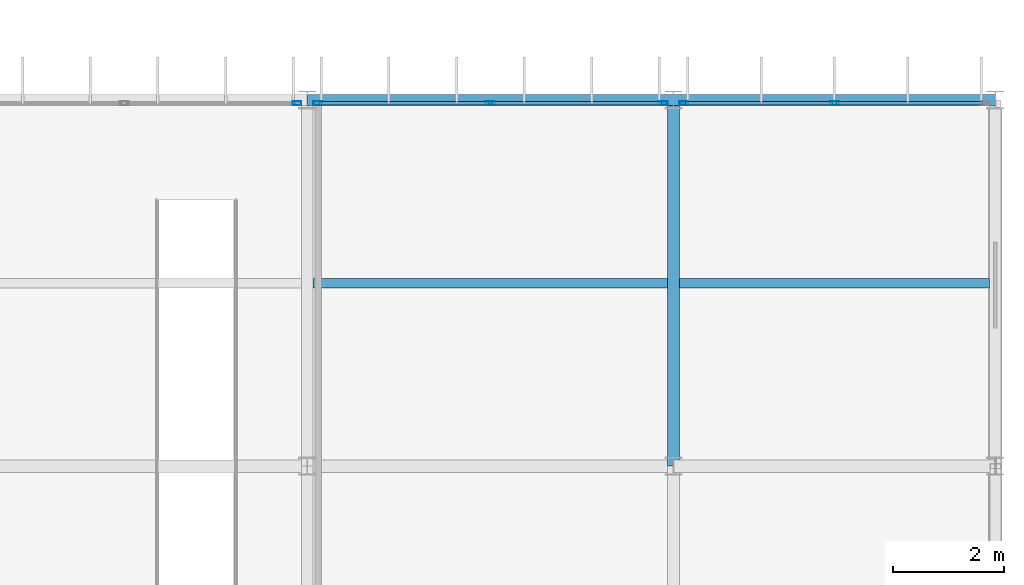
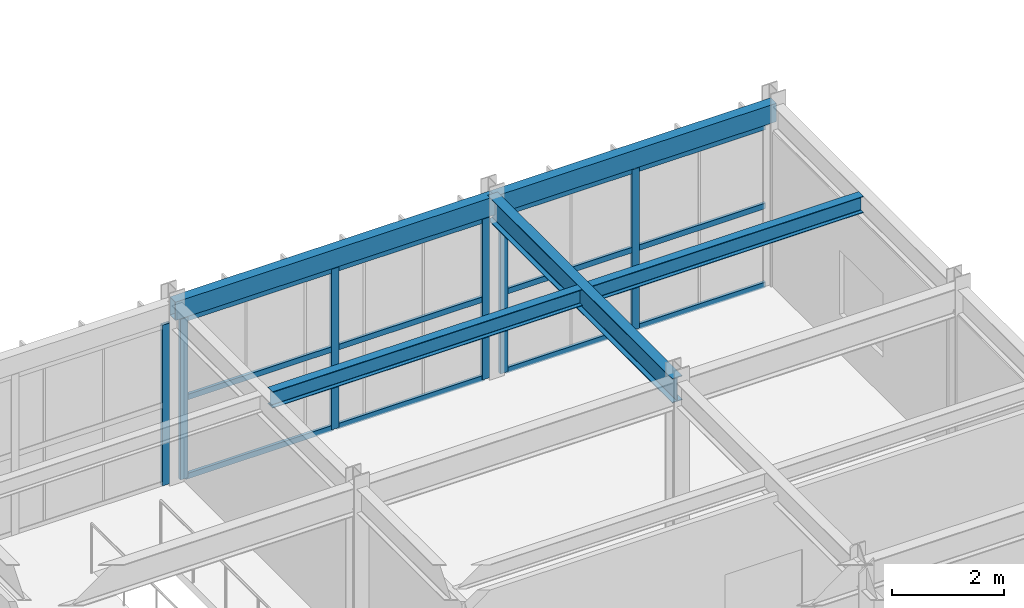
# One storey, part 85 of 130: 18 members, 5 beams, 3 elements without a shape of their own.
"""IFC4 building model written with IfcOpenShell, lengths in metres."""

from ifc_helpers import new_model, si_unit, direction, frame, origin, origin_2d, place, context, subcontext, project, spatial, hollow_rectangle, i_section, extrude, material, material_profile, profile_set, type_object, element, aggregate, save


model = new_model("IFC4")

# Units and contexts
model_context = context("Model", 3, precision=1e-05, world=origin(), true_north=direction((0.0, 1.0)))
body_context = subcontext(model_context, "Body", "Model", "MODEL_VIEW")
ifc_project = project(units=[si_unit("LENGTHUNIT", "METRE"), si_unit("AREAUNIT", "SQUARE_METRE"), si_unit("VOLUMEUNIT", "CUBIC_METRE"), si_unit("PLANEANGLEUNIT", "RADIAN"), si_unit("MASSUNIT", "GRAM", prefix="KILO")], contexts=[model_context])

# Site, building, storey
site_placement = place(None, origin())
site = spatial("IfcSite", under=ifc_project, at=site_placement, CompositionType="ELEMENT")
building_placement = place(site_placement, origin())
building = spatial("IfcBuilding", under=site, at=building_placement, Name="Karori Crest Natural Sciences Institute", CompositionType="ELEMENT")
storey_placement = place(building_placement, frame((0.0, 0.0, 17.5)))
storey = spatial("IfcBuildingStorey", under=building, at=storey_placement, Name="L04", CompositionType="ELEMENT", Elevation=17.5)

# Beams
ifc_material_1 = material(Name="Structural steel AS/NZS 3679.1 Grade 350", Category="steel")
ifc_material_profile_1 = material_profile(ifc_material_1, i_section(OverallWidth=0.208984375, OverallDepth=0.532958984375, WebThickness=0.01025390625, FlangeThickness=0.015625, FilletRadius=0.013916015625, at=origin_2d()), Name="530UB92.4")
ifc_profile_set_1 = profile_set([ifc_material_profile_1], Name="Structural steel AS/NZS 3679.1 Grade 350")
beam_type_1 = type_object("IfcBeamType", Name="BT-05", PredefinedType="BEAM", material=ifc_profile_set_1)
beam_1_placement = place(storey_placement, frame((156.39990234375, 14.0, 3.653564453125), z_axis=(0.0, 1.0, 0.0), x_axis=(-1.0, 0.0, 0.0)))
element("IfcBeam", 1, at=beam_1_placement, inside=storey, type_object=beam_type_1, Name="Beam B-2427", PredefinedType="BEAM", context=body_context, shape_type="SweptSolid", body=[
    extrude(i_section(OverallWidth=0.208984375, OverallDepth=0.532958984375, WebThickness=0.01025390625, FlangeThickness=0.015625, FilletRadius=0.013916015625, at=origin_2d()), origin(), (0.0, 0.0, 1.0), 6.60009765625),
])
ifc_material_profile_2 = material_profile(ifc_material_1, i_section(OverallWidth=0.172119140625, OverallDepth=0.35888671875, WebThickness=0.008056640625, FlangeThickness=0.012939453125, FilletRadius=0.010986328125, at=origin_2d()), Name="360UB56.7")
ifc_profile_set_2 = profile_set([ifc_material_profile_2], Name="Structural steel AS/NZS 3679.1 Grade 350")
beam_type_2 = type_object("IfcBeamType", Name="BT-08", PredefinedType="BEAM", material=ifc_profile_set_2)
beam_2_placement = place(storey_placement, frame((149.904541015625, 17.300048828125, 3.740478515625), z_axis=(1.0, 0.0, 0.0), x_axis=(0.0, 1.0, 0.0)))
element("IfcBeam", 2, at=beam_2_placement, inside=storey, type_object=beam_type_2, Name="Beam B-2450", PredefinedType="BEAM", context=body_context, shape_type="SweptSolid", body=[
    extrude(i_section(OverallWidth=0.172119140625, OverallDepth=0.35888671875, WebThickness=0.008056640625, FlangeThickness=0.012939453125, FilletRadius=0.010986328125, at=origin_2d()), origin(), (0.0, 0.0, 1.0), 6.390869140625),
])
beam_3_placement = place(storey_placement, frame((156.50439453125, 17.300048828125, 3.740478515625), z_axis=(1.0, 0.0, 0.0), x_axis=(0.0, 1.0, 0.0)))
element("IfcBeam", 3, at=beam_3_placement, inside=storey, type_object=beam_type_2, Name="Beam B-2453", PredefinedType="BEAM", context=body_context, shape_type="SweptSolid", body=[
    extrude(i_section(OverallWidth=0.172119140625, OverallDepth=0.35888671875, WebThickness=0.008056640625, FlangeThickness=0.012939453125, FilletRadius=0.010986328125, at=origin_2d()), origin(), (0.0, 0.0, 1.0), 5.591064453125),
])
ifc_material_2 = material(Name="Hollow structural steel AS/NZS 1163 Grade C350", Category="steel")
ifc_material_profile_3 = material_profile(ifc_material_2, hollow_rectangle(XDim=0.199951171875, YDim=0.39990234375, WallThickness=0.012451171875, at=origin_2d()), Name="RHS400x200x12.5")
ifc_profile_set_3 = profile_set([ifc_material_profile_3], Name="Hollow structural steel AS/NZS 1163 Grade C350")
beam_type_3 = type_object("IfcBeamType", Name="BT-14", PredefinedType="SPANDREL", material=ifc_profile_set_3)
beam_4_placement = place(storey_placement, frame((149.800048828125, 20.60009765625, 3.719970703125), z_axis=(1.0, 0.0, 0.0), x_axis=(0.0, 1.0, 0.0)))
element("IfcBeam", 4, at=beam_4_placement, inside=storey, type_object=beam_type_3, Name="Beam B-2399", PredefinedType="SPANDREL", context=body_context, shape_type="SweptSolid", body=[
    extrude(hollow_rectangle(XDim=0.199951171875, YDim=0.39990234375, WallThickness=0.012451171875, at=origin_2d()), origin(), (0.0, 0.0, 1.0), 6.599853515625),
])
beam_5_placement = place(storey_placement, frame((156.39990234375, 20.60009765625, 3.719970703125), z_axis=(1.0, 0.0, 0.0), x_axis=(0.0, 1.0, 0.0)))
element("IfcBeam", 5, at=beam_5_placement, inside=storey, type_object=beam_type_3, Name="Beam B-2400", PredefinedType="SPANDREL", context=body_context, shape_type="SweptSolid", body=[
    extrude(hollow_rectangle(XDim=0.199951171875, YDim=0.39990234375, WallThickness=0.012451171875, at=origin_2d()), origin(), (0.0, 0.0, 1.0), 5.800048828125),
])

# Curtain wall, member
ifc_material_3 = material(Name="Anodised architectural aluminium 6063-T6", Category="aluminium")
curtain_wall_type = type_object("IfcCurtainWallType", Name="CWT-20", PredefinedType="NOTDEFINED", material=ifc_material_3)
curtain_wall_1_placement = place(storey_placement, origin())
curtain_wall_1 = element("IfcCurtainWall", 6, at=curtain_wall_1_placement, inside=storey, type_object=curtain_wall_type, Name="Curtain wall CW-0337", PredefinedType="NOTDEFINED")
ifc_material_profile_4 = material_profile(ifc_material_3, hollow_rectangle(XDim=0.06494140625, YDim=0.159912109375, WallThickness=0.00390625, at=origin_2d()), Name="CWM160x65x4")
ifc_profile_set_4 = profile_set([ifc_material_profile_4], Name="Anodised architectural aluminium 6063-T6")
member_type_1 = type_object("IfcMemberType", Name="CWM-01", PredefinedType="MULLION", material=ifc_profile_set_4)
member_1_placement = place(storey_placement, frame((149.614013671875, 20.5400390625, 0.0), z_axis=(0.0, 0.0, 1.0), x_axis=(0.0, 1.0, 0.0)))
member_1 = element("IfcMember", 7, at=member_1_placement, type_object=member_type_1, Name="CW-0337 mullion 3", PredefinedType="MULLION", context=body_context, shape_type="SweptSolid", body=[
    extrude(hollow_rectangle(XDim=0.06494140625, YDim=0.159912109375, WallThickness=0.00390625, at=origin_2d()), origin(), (0.0, 0.0, 1.0), 3.5048828125),
])
aggregate(curtain_wall_1, [member_1])

# Curtain wall, members
curtain_wall_2_placement = place(storey_placement, origin())
curtain_wall_2 = element("IfcCurtainWall", 8, at=curtain_wall_2_placement, inside=storey, type_object=curtain_wall_type, Name="Curtain wall CW-0338", PredefinedType="NOTDEFINED")
member_2_placement = place(storey_placement, frame((149.986083984375, 20.5400390625, 0.0), z_axis=(0.0, 0.0, 1.0), x_axis=(0.0, 1.0, 0.0)))
member_2 = element("IfcMember", 9, at=member_2_placement, type_object=member_type_1, Name="CW-0338 mullion 1", PredefinedType="MULLION", context=body_context, shape_type="SweptSolid", body=[
    extrude(hollow_rectangle(XDim=0.06494140625, YDim=0.159912109375, WallThickness=0.00390625, at=origin_2d()), origin(), (0.0, 0.0, 1.0), 3.5048828125),
])
member_3_placement = place(storey_placement, frame((153.10009765625, 20.5400390625, 0.0), z_axis=(0.0, 0.0, 1.0), x_axis=(0.0, 1.0, 0.0)))
member_3 = element("IfcMember", 10, at=member_3_placement, type_object=member_type_1, Name="CW-0338 mullion 2", PredefinedType="MULLION", context=body_context, shape_type="SweptSolid", body=[
    extrude(hollow_rectangle(XDim=0.06494140625, YDim=0.159912109375, WallThickness=0.00390625, at=origin_2d()), origin(), (0.0, 0.0, 1.0), 3.5048828125),
])
member_4_placement = place(storey_placement, frame((156.214111328125, 20.5400390625, 0.0), z_axis=(0.0, 0.0, 1.0), x_axis=(0.0, 1.0, 0.0)))
member_4 = element("IfcMember", 11, at=member_4_placement, type_object=member_type_1, Name="CW-0338 mullion 3", PredefinedType="MULLION", context=body_context, shape_type="SweptSolid", body=[
    extrude(hollow_rectangle(XDim=0.06494140625, YDim=0.159912109375, WallThickness=0.00390625, at=origin_2d()), origin(), (0.0, 0.0, 1.0), 3.5048828125),
])

curtain_wall_3_placement = place(storey_placement, origin())
curtain_wall_3 = element("IfcCurtainWall", 12, at=curtain_wall_3_placement, inside=storey, type_object=curtain_wall_type, Name="Curtain wall CW-0339", PredefinedType="NOTDEFINED")
member_5_placement = place(storey_placement, frame((156.5859375, 20.5400390625, 0.0), z_axis=(0.0, 0.0, 1.0), x_axis=(0.0, 1.0, 0.0)))
member_5 = element("IfcMember", 13, at=member_5_placement, type_object=member_type_1, Name="CW-0339 mullion 1", PredefinedType="MULLION", context=body_context, shape_type="SweptSolid", body=[
    extrude(hollow_rectangle(XDim=0.06494140625, YDim=0.159912109375, WallThickness=0.00390625, at=origin_2d()), origin(), (0.0, 0.0, 1.0), 3.5048828125),
])
member_6_placement = place(storey_placement, frame((159.300048828125, 20.5400390625, 0.0), z_axis=(0.0, 0.0, 1.0), x_axis=(0.0, 1.0, 0.0)))
member_6 = element("IfcMember", 14, at=member_6_placement, type_object=member_type_1, Name="CW-0339 mullion 2", PredefinedType="MULLION", context=body_context, shape_type="SweptSolid", body=[
    extrude(hollow_rectangle(XDim=0.06494140625, YDim=0.159912109375, WallThickness=0.00390625, at=origin_2d()), origin(), (0.0, 0.0, 1.0), 3.5048828125),
])

# Member
ifc_material_profile_5 = material_profile(ifc_material_3, hollow_rectangle(XDim=0.06005859375, YDim=0.1201171875, WallThickness=0.00390625, at=origin_2d()), Name="CWT120x60x4")
ifc_profile_set_5 = profile_set([ifc_material_profile_5], Name="Anodised architectural aluminium 6063-T6")
member_type_2 = type_object("IfcMemberType", Name="CWT-TR1", PredefinedType="USERDEFINED", material=ifc_profile_set_5)
member_7_placement = place(storey_placement, frame((150.0185546875, 20.5400390625, 0.030029296875), z_axis=(1.0, 0.0, 0.0), x_axis=(0.0, 1.0, 0.0)))
member_7 = element("IfcMember", 15, at=member_7_placement, type_object=member_type_2, Name="CW-0338 transom 1.1", ObjectType="TRANSOM", PredefinedType="USERDEFINED", context=body_context, shape_type="SweptSolid", body=[
    extrude(hollow_rectangle(XDim=0.06005859375, YDim=0.1201171875, WallThickness=0.00390625, at=origin_2d()), origin(), (0.0, 0.0, 1.0), 3.048828125),
])

member_8_placement = place(storey_placement, frame((150.0185546875, 20.5400390625, 1.75244140625), z_axis=(1.0, 0.0, 0.0), x_axis=(0.0, 1.0, 0.0)))
member_8 = element("IfcMember", 16, at=member_8_placement, type_object=member_type_2, Name="CW-0338 transom 1.2", ObjectType="TRANSOM", PredefinedType="USERDEFINED", context=body_context, shape_type="SweptSolid", body=[
    extrude(hollow_rectangle(XDim=0.06005859375, YDim=0.1201171875, WallThickness=0.00390625, at=origin_2d()), origin(), (0.0, 0.0, 1.0), 3.048828125),
])

member_9_placement = place(storey_placement, frame((150.0185546875, 20.5400390625, 3.47509765625), z_axis=(1.0, 0.0, 0.0), x_axis=(0.0, 1.0, 0.0)))
member_9 = element("IfcMember", 17, at=member_9_placement, type_object=member_type_2, Name="CW-0338 transom 1.3", ObjectType="TRANSOM", PredefinedType="USERDEFINED", context=body_context, shape_type="SweptSolid", body=[
    extrude(hollow_rectangle(XDim=0.06005859375, YDim=0.1201171875, WallThickness=0.00390625, at=origin_2d()), origin(), (0.0, 0.0, 1.0), 3.048828125),
])

member_10_placement = place(storey_placement, frame((153.132568359375, 20.5400390625, 0.030029296875), z_axis=(1.0, 0.0, 0.0), x_axis=(0.0, 1.0, 0.0)))
member_10 = element("IfcMember", 18, at=member_10_placement, type_object=member_type_2, Name="CW-0338 transom 2.1", ObjectType="TRANSOM", PredefinedType="USERDEFINED", context=body_context, shape_type="SweptSolid", body=[
    extrude(hollow_rectangle(XDim=0.06005859375, YDim=0.1201171875, WallThickness=0.00390625, at=origin_2d()), origin(), (0.0, 0.0, 1.0), 3.048828125),
])

member_11_placement = place(storey_placement, frame((153.132568359375, 20.5400390625, 1.75244140625), z_axis=(1.0, 0.0, 0.0), x_axis=(0.0, 1.0, 0.0)))
member_11 = element("IfcMember", 19, at=member_11_placement, type_object=member_type_2, Name="CW-0338 transom 2.2", ObjectType="TRANSOM", PredefinedType="USERDEFINED", context=body_context, shape_type="SweptSolid", body=[
    extrude(hollow_rectangle(XDim=0.06005859375, YDim=0.1201171875, WallThickness=0.00390625, at=origin_2d()), origin(), (0.0, 0.0, 1.0), 3.048828125),
])

member_12_placement = place(storey_placement, frame((153.132568359375, 20.5400390625, 3.47509765625), z_axis=(1.0, 0.0, 0.0), x_axis=(0.0, 1.0, 0.0)))
member_12 = element("IfcMember", 20, at=member_12_placement, type_object=member_type_2, Name="CW-0338 transom 2.3", ObjectType="TRANSOM", PredefinedType="USERDEFINED", context=body_context, shape_type="SweptSolid", body=[
    extrude(hollow_rectangle(XDim=0.06005859375, YDim=0.1201171875, WallThickness=0.00390625, at=origin_2d()), origin(), (0.0, 0.0, 1.0), 3.048828125),
])

aggregate(curtain_wall_2, [member_2, member_3, member_4, member_7, member_8, member_9, member_10, member_11, member_12])

member_13_placement = place(storey_placement, frame((156.618408203125, 20.5400390625, 0.030029296875), z_axis=(1.0, 0.0, 0.0), x_axis=(0.0, 1.0, 0.0)))
member_13 = element("IfcMember", 21, at=member_13_placement, type_object=member_type_2, Name="CW-0339 transom 1.1", ObjectType="TRANSOM", PredefinedType="USERDEFINED", context=body_context, shape_type="SweptSolid", body=[
    extrude(hollow_rectangle(XDim=0.06005859375, YDim=0.1201171875, WallThickness=0.00390625, at=origin_2d()), origin(), (0.0, 0.0, 1.0), 2.649169921875),
])

member_14_placement = place(storey_placement, frame((156.618408203125, 20.5400390625, 1.75244140625), z_axis=(1.0, 0.0, 0.0), x_axis=(0.0, 1.0, 0.0)))
member_14 = element("IfcMember", 22, at=member_14_placement, type_object=member_type_2, Name="CW-0339 transom 1.2", ObjectType="TRANSOM", PredefinedType="USERDEFINED", context=body_context, shape_type="SweptSolid", body=[
    extrude(hollow_rectangle(XDim=0.06005859375, YDim=0.1201171875, WallThickness=0.00390625, at=origin_2d()), origin(), (0.0, 0.0, 1.0), 2.649169921875),
])

member_15_placement = place(storey_placement, frame((156.618408203125, 20.5400390625, 3.47509765625), z_axis=(1.0, 0.0, 0.0), x_axis=(0.0, 1.0, 0.0)))
member_15 = element("IfcMember", 23, at=member_15_placement, type_object=member_type_2, Name="CW-0339 transom 1.3", ObjectType="TRANSOM", PredefinedType="USERDEFINED", context=body_context, shape_type="SweptSolid", body=[
    extrude(hollow_rectangle(XDim=0.06005859375, YDim=0.1201171875, WallThickness=0.00390625, at=origin_2d()), origin(), (0.0, 0.0, 1.0), 2.649169921875),
])

member_16_placement = place(storey_placement, frame((159.33251953125, 20.5400390625, 0.030029296875), z_axis=(1.0, 0.0, 0.0), x_axis=(0.0, 1.0, 0.0)))
member_16 = element("IfcMember", 24, at=member_16_placement, type_object=member_type_2, Name="CW-0339 transom 2.1", ObjectType="TRANSOM", PredefinedType="USERDEFINED", context=body_context, shape_type="SweptSolid", body=[
    extrude(hollow_rectangle(XDim=0.06005859375, YDim=0.1201171875, WallThickness=0.00390625, at=origin_2d()), origin(), (0.0, 0.0, 1.0), 2.64892578125),
])

member_17_placement = place(storey_placement, frame((159.33251953125, 20.5400390625, 1.75244140625), z_axis=(1.0, 0.0, 0.0), x_axis=(0.0, 1.0, 0.0)))
member_17 = element("IfcMember", 25, at=member_17_placement, type_object=member_type_2, Name="CW-0339 transom 2.2", ObjectType="TRANSOM", PredefinedType="USERDEFINED", context=body_context, shape_type="SweptSolid", body=[
    extrude(hollow_rectangle(XDim=0.06005859375, YDim=0.1201171875, WallThickness=0.00390625, at=origin_2d()), origin(), (0.0, 0.0, 1.0), 2.64892578125),
])

member_18_placement = place(storey_placement, frame((159.33251953125, 20.5400390625, 3.47509765625), z_axis=(1.0, 0.0, 0.0), x_axis=(0.0, 1.0, 0.0)))
member_18 = element("IfcMember", 26, at=member_18_placement, type_object=member_type_2, Name="CW-0339 transom 2.3", ObjectType="TRANSOM", PredefinedType="USERDEFINED", context=body_context, shape_type="SweptSolid", body=[
    extrude(hollow_rectangle(XDim=0.06005859375, YDim=0.1201171875, WallThickness=0.00390625, at=origin_2d()), origin(), (0.0, 0.0, 1.0), 2.64892578125),
])

aggregate(curtain_wall_3, [member_5, member_6, member_13, member_14, member_15, member_16, member_17, member_18])

save(model, "model.ifc")
